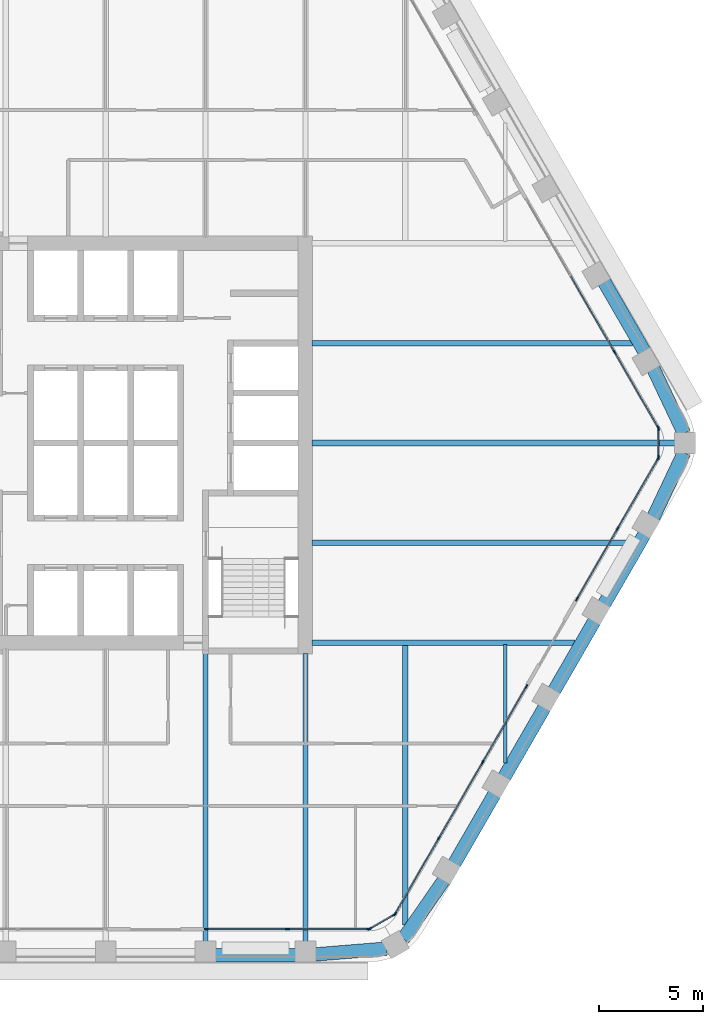
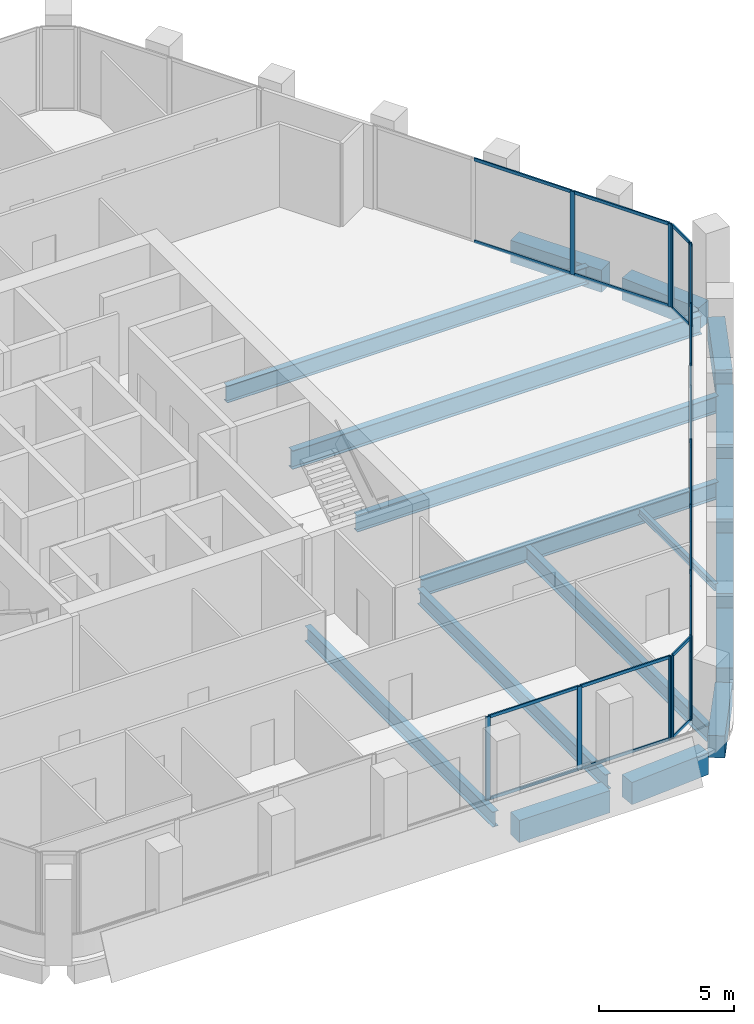
# One storey, part 4 of 15: 38 members, 18 beams, 6 elements without a shape of their own.
"""IFC4 building model written with IfcOpenShell, lengths in metres."""

from ifc_helpers import new_model, si_unit, direction, frame, origin, origin_2d, place, context, subcontext, project, spatial, rectangle, i_section, extrude, material, material_profile, profile_set, type_object, element, aggregate, save


model = new_model("IFC4")

# Units and contexts
model_context = context("Model", 3, precision=1e-05, world=origin(), true_north=direction((0.0, 1.0)))
body_context = subcontext(model_context, "Body", "Model", "MODEL_VIEW")
ifc_project = project(units=[si_unit("LENGTHUNIT", "METRE"), si_unit("AREAUNIT", "SQUARE_METRE"), si_unit("VOLUMEUNIT", "CUBIC_METRE"), si_unit("PLANEANGLEUNIT", "RADIAN"), si_unit("MASSUNIT", "GRAM", prefix="KILO")], contexts=[model_context])

# Site, building, storey
site_placement = place(None, origin())
site = spatial("IfcSite", under=ifc_project, at=site_placement, CompositionType="ELEMENT")
building_placement = place(site_placement, origin())
building = spatial("IfcBuilding", under=site, at=building_placement, Name="Kolab Exchange Tower", CompositionType="ELEMENT")
storey_placement = place(building_placement, frame((0.0, 0.0, 205.10009765625)))
storey = spatial("IfcBuildingStorey", under=building, at=storey_placement, Name="L44", CompositionType="ELEMENT", Elevation=205.10009765625)

# Beams
ifc_material_1 = material(Name="Steel S355", Category="steel")
ifc_material_profile_1 = material_profile(ifc_material_1, i_section(OverallWidth=0.1650390625, OverallDepth=0.31005859375, WebThickness=0.005859375, FlangeThickness=0.009765625, at=origin_2d()), Name="W310X39")
ifc_profile_set_1 = profile_set([ifc_material_profile_1], Name="Steel S355")
beam_type_1 = type_object("IfcBeamType", Name="FLOOR BEAM W310X39", PredefinedType="BEAM", material=ifc_profile_set_1)
beam_1_placement = place(storey_placement, frame((19.199951171875, -15.36767578125, -0.30517578125), z_axis=(0.0, 1.0, 0.0), x_axis=(-1.0, 0.0, 0.0)))
element("IfcBeam", 1, at=beam_1_placement, inside=storey, type_object=beam_type_1, Name="beam/L44/fr/022", PredefinedType="BEAM", context=body_context, shape_type="SweptSolid", body=[
    extrude(i_section(OverallWidth=0.1650390625, OverallDepth=0.31005859375, WebThickness=0.005859375, FlangeThickness=0.009765625, at=origin_2d()), origin(), (0.0, 0.0, 1.0), 5.674072265625),
])
ifc_material_profile_2 = material_profile(ifc_material_1, i_section(OverallWidth=0.25390625, OverallDepth=0.68408203125, WebThickness=0.012451171875, FlangeThickness=0.018798828125, at=origin_2d()), Name="W690X140")
ifc_profile_set_2 = profile_set([ifc_material_profile_2], Name="Steel S355")
beam_type_2 = type_object("IfcBeamType", Name="FLOOR BEAM W690X140", PredefinedType="BEAM", material=ifc_profile_set_2)
for number, where, z_axis, x_axis, name in (
    (2, (4.800048828125, -23.9814453125, -0.4921875), (0.0, 1.0, 0.0), (-1.0, 0.0, 0.0), "beam/L44/fr/013"),
    (3, (9.60009765625, -23.9814453125, -0.4921875), (0.0, 1.0, 0.0), (-1.0, 0.0, 0.0), "beam/L44/fr/015"),
):
    element("IfcBeam", number, at=place(storey_placement, frame(where, z_axis=z_axis, x_axis=x_axis)), inside=storey, type_object=beam_type_2, Name=name, PredefinedType="BEAM", context=body_context, shape_type="SweptSolid", body=[
        extrude(i_section(OverallWidth=0.25390625, OverallDepth=0.68408203125, WebThickness=0.012451171875, FlangeThickness=0.018798828125, at=origin_2d()), origin(), (0.0, 0.0, 1.0), 13.871337890625),
    ])
beam_2_placement = place(storey_placement, frame((14.39990234375, -23.15576171875, -0.4921875), z_axis=(0.0, 1.0, 0.0), x_axis=(-1.0, 0.0, 0.0)))
element("IfcBeam", 4, at=beam_2_placement, inside=storey, type_object=beam_type_2, Name="beam/L44/fr/020", PredefinedType="BEAM", context=body_context, shape_type="SweptSolid", body=[
    extrude(i_section(OverallWidth=0.25390625, OverallDepth=0.68408203125, WebThickness=0.012451171875, FlangeThickness=0.018798828125, at=origin_2d()), origin(), (0.0, 0.0, 1.0), 13.462158203125),
])
ifc_material_profile_3 = material_profile(ifc_material_1, i_section(OverallWidth=0.26708984375, OverallDepth=0.761962890625, WebThickness=0.014404296875, FlangeThickness=0.021484375, at=origin_2d()), Name="W760X173")
ifc_profile_set_3 = profile_set([ifc_material_profile_3], Name="Steel S355")
beam_type_3 = type_object("IfcBeamType", Name="FLOOR BEAM W760X173", PredefinedType="BEAM", material=ifc_profile_set_3)
for number, where, z_axis, x_axis, name in (
    (5, (9.909912109375, -4.800048828125, -0.531005859375), (1.0, 0.0, 0.0), (0.0, 1.0, 0.0), "beam/L44/fr/017"),
    (6, (9.909912109375, 4.800048828125, -0.531005859375), (1.0, 0.0, 0.0), (0.0, 1.0, 0.0), "beam/L44/fr/019"),
):
    element("IfcBeam", number, at=place(storey_placement, frame(where, z_axis=z_axis, x_axis=x_axis)), inside=storey, type_object=beam_type_3, Name=name, PredefinedType="BEAM", context=body_context, shape_type="SweptSolid", body=[
        extrude(i_section(OverallWidth=0.26708984375, OverallDepth=0.761962890625, WebThickness=0.014404296875, FlangeThickness=0.021484375, at=origin_2d()), origin(), (0.0, 0.0, 1.0), 15.408203125),
    ])
ifc_material_profile_4 = material_profile(ifc_material_1, i_section(OverallWidth=0.2919921875, OverallDepth=0.840087890625, WebThickness=0.0146484375, FlangeThickness=0.021728515625, at=origin_2d()), Name="W840X193")
ifc_profile_set_4 = profile_set([ifc_material_profile_4], Name="Steel S355")
beam_type_4 = type_object("IfcBeamType", Name="FLOOR BEAM W840X193", PredefinedType="BEAM", material=ifc_profile_set_4)
beam_3_placement = place(storey_placement, frame((9.909912109375, 0.0, -0.570068359375), z_axis=(1.0, 0.0, 0.0), x_axis=(0.0, 1.0, 0.0)))
element("IfcBeam", 7, at=beam_3_placement, inside=storey, type_object=beam_type_4, Name="beam/L44/fr/018", PredefinedType="BEAM", context=body_context, shape_type="SweptSolid", body=[
    extrude(i_section(OverallWidth=0.2919921875, OverallDepth=0.840087890625, WebThickness=0.0146484375, FlangeThickness=0.021728515625, at=origin_2d()), origin(), (0.0, 0.0, 1.0), 17.466064453125),
])
ifc_material_profile_5 = material_profile(ifc_material_1, i_section(OverallWidth=0.26708984375, OverallDepth=0.761962890625, WebThickness=0.014404296875, FlangeThickness=0.021484375, at=origin_2d()), Name="W760X173")
ifc_profile_set_5 = profile_set([ifc_material_profile_5], Name="Steel S355")
beam_type_5 = type_object("IfcBeamType", Name="FLOOR GIRDER W760X173", PredefinedType="BEAM", material=ifc_profile_set_5)
beam_4_placement = place(storey_placement, frame((9.909912109375, -9.60009765625, -0.531005859375), z_axis=(1.0, 0.0, 0.0), x_axis=(0.0, 1.0, 0.0)))
element("IfcBeam", 8, at=beam_4_placement, inside=storey, type_object=beam_type_5, Name="beam/L44/gd/002", PredefinedType="BEAM", context=body_context, shape_type="SweptSolid", body=[
    extrude(i_section(OverallWidth=0.26708984375, OverallDepth=0.761962890625, WebThickness=0.014404296875, FlangeThickness=0.021484375, at=origin_2d()), origin(), (0.0, 0.0, 1.0), 12.636962890625),
])
ifc_material_2 = material(Name="Concrete C60/75", Category="concrete")
ifc_material_profile_6 = material_profile(ifc_material_2, rectangle(XDim=0.64990234375, YDim=1.0, at=origin_2d()), Name="RC650X1000")
ifc_profile_set_6 = profile_set([ifc_material_profile_6], Name="Concrete C60/75")
beam_type_6 = type_object("IfcBeamType", Name="SPANDREL BEAM 650X1000 C60/75", PredefinedType="BEAM", material=ifc_profile_set_6)
beam_5_placement = place(storey_placement, frame((23.948486328125, 7.7529296875, -0.650146484375), z_axis=(0.499996613652, -0.866027358884, 0.0), x_axis=(0.866027358884, 0.499996613652, 0.0)))
element("IfcBeam", 9, at=beam_5_placement, inside=storey, type_object=beam_type_6, Name="beam/L44/sp/F2-05", PredefinedType="BEAM", context=body_context, shape_type="SweptSolid", body=[
    extrude(rectangle(XDim=0.64990234375, YDim=1.0, at=origin_2d()), origin(), (0.0, 0.0, 1.0), 3.8798828125),
])
for number, where, z_axis, x_axis, name in (
    (10, (26.316162109375, 3.5771484375, -0.650146484375), (0.428177731975, -0.903694544545, 0.0), (0.903694544545, 0.428177731975, 0.0), "beam/L44/sp/F2-06"),
    (11, (27.791259765625, -0.4638671875, -0.650146484375), (-0.428177731975, -0.903694544545, 0.0), (0.903694544545, -0.428177731975, 0.0), "beam/L44/sp/F3-01"),
):
    element("IfcBeam", number, at=place(storey_placement, frame(where, z_axis=z_axis, x_axis=x_axis)), inside=storey, type_object=beam_type_6, Name=name, PredefinedType="BEAM", context=body_context, shape_type="SweptSolid", body=[
        extrude(rectangle(XDim=0.64990234375, YDim=1.0, at=origin_2d()), origin(), (0.0, 0.0, 1.0), 3.445068359375),
    ])
for number, where, z_axis, x_axis, name in (
    (12, (25.888427734375, -4.392822265625, -0.650146484375), (-0.499996613652, -0.866027358884, 0.0), (0.866027358884, -0.499996613652, 0.0), "beam/L44/sp/F3-02"),
    (13, (23.488525390625, -8.5498046875, -0.650146484375), (-0.499996613652, -0.866027358884, 0.0), (0.866027358884, -0.499996613652, 0.0), "beam/L44/sp/F3-03"),
):
    element("IfcBeam", number, at=place(storey_placement, frame(where, z_axis=z_axis, x_axis=x_axis)), inside=storey, type_object=beam_type_6, Name=name, PredefinedType="BEAM", context=body_context, shape_type="SweptSolid", body=[
        extrude(rectangle(XDim=0.64990234375, YDim=1.0, at=origin_2d()), origin(), (0.0, 0.0, 1.0), 3.8798828125),
    ])
beam_6_placement = place(storey_placement, frame((21.088623046875, -12.70654296875, -0.650146484375), z_axis=(-0.50001655835, -0.866015843605, 0.0), x_axis=(0.866015843605, -0.50001655835, 0.0)))
element("IfcBeam", 14, at=beam_6_placement, inside=storey, type_object=beam_type_6, Name="beam/L44/sp/F3-04", PredefinedType="BEAM", context=body_context, shape_type="SweptSolid", body=[
    extrude(rectangle(XDim=0.64990234375, YDim=1.0, at=origin_2d()), origin(), (0.0, 0.0, 1.0), 3.880126953125),
])
beam_7_placement = place(storey_placement, frame((18.6884765625, -16.863525390625, -0.650146484375), z_axis=(-0.499996613652, -0.866027358884, 0.0), x_axis=(0.866027358884, -0.499996613652, 0.0)))
element("IfcBeam", 15, at=beam_7_placement, inside=storey, type_object=beam_type_6, Name="beam/L44/sp/F3-05", PredefinedType="BEAM", context=body_context, shape_type="SweptSolid", body=[
    extrude(rectangle(XDim=0.64990234375, YDim=1.0, at=origin_2d()), origin(), (0.0, 0.0, 1.0), 3.8798828125),
])
for number, where, z_axis, x_axis, name in (
    (16, (16.256103515625, -21.001953125, -0.650146484375), (-0.568572281073, -0.822633309073, 0.0), (0.822633309073, -0.568572281073, 0.0), "beam/L44/sp/F3-06"),
    (17, (13.493896484375, -24.2998046875, -0.650146484375), (-0.996708497182, -0.081068931445, 0.0), (0.081068931445, -0.996708497182, 0.0), "beam/L44/sp/F4-01"),
):
    element("IfcBeam", number, at=place(storey_placement, frame(where, z_axis=z_axis, x_axis=x_axis)), inside=storey, type_object=beam_type_6, Name=name, PredefinedType="BEAM", context=body_context, shape_type="SweptSolid", body=[
        extrude(rectangle(XDim=0.64990234375, YDim=1.0, at=origin_2d()), origin(), (0.0, 0.0, 1.0), 3.445068359375),
    ])
beam_8_placement = place(storey_placement, frame((9.139892578125, -24.616455078125, -0.650146484375), z_axis=(-1.0, 0.0, 0.0), x_axis=(0.0, -1.0, 0.0)))
element("IfcBeam", 18, at=beam_8_placement, inside=storey, type_object=beam_type_6, Name="beam/L44/sp/F4-02", PredefinedType="BEAM", context=body_context, shape_type="SweptSolid", body=[
    extrude(rectangle(XDim=0.64990234375, YDim=1.0, at=origin_2d()), origin(), (0.0, 0.0, 1.0), 3.8798828125),
])

# Curtain wall, members
ifc_material_3 = material(Name="Aluminium EN AW-6063 T6", Category="aluminium")
curtain_wall_type = type_object("IfcCurtainWallType", Name="UNITISED UPPER MID ZONE CURTAIN WALL", PredefinedType="NOTDEFINED", material=ifc_material_3)
curtain_wall_1_placement = place(storey_placement, origin())
curtain_wall_1 = element("IfcCurtainWall", 19, at=curtain_wall_1_placement, inside=storey, type_object=curtain_wall_type, Name="cw/L44/F2-2", PredefinedType="NOTDEFINED")
ifc_material_profile_7 = material_profile(ifc_material_3, rectangle(XDim=0.06005859375, YDim=0.199951171875, at=origin_2d()), Name="RECT 60X200")
ifc_profile_set_7 = profile_set([ifc_material_profile_7], Name="Aluminium EN AW-6063 T6")
member_type_1 = type_object("IfcMemberType", Name="UNITISED UPPER MID ZONE MULLION 60 X 200", PredefinedType="MULLION", material=ifc_profile_set_7)
member_1_placement = place(storey_placement, frame((24.454345703125, 4.366943359375, 0.0), z_axis=(0.0, 0.0, 1.0), x_axis=(0.866025427826, 0.499999958358, 0.0)))
member_1 = element("IfcMember", 20, at=member_1_placement, type_object=member_type_1, Name="CW3 mullion 3", PredefinedType="MULLION", context=body_context, shape_type="SweptSolid", body=[
    extrude(rectangle(XDim=0.06005859375, YDim=0.199951171875, at=origin_2d()), origin(), (0.0, 0.0, 1.0), 3.75),
])
member_2_placement = place(storey_placement, frame((26.550537109375, 0.736083984375, 0.0), z_axis=(0.0, 0.0, 1.0), x_axis=(0.866025427826, 0.499999958358, 0.0)))
member_2 = element("IfcMember", 21, at=member_2_placement, type_object=member_type_1, Name="CW3 mullion 4", PredefinedType="MULLION", context=body_context, shape_type="SweptSolid", body=[
    extrude(rectangle(XDim=0.06005859375, YDim=0.199951171875, at=origin_2d()), origin(), (0.0, 0.0, 1.0), 3.75),
])

curtain_wall_2_placement = place(storey_placement, origin())
curtain_wall_2 = element("IfcCurtainWall", 22, at=curtain_wall_2_placement, inside=storey, type_object=curtain_wall_type, Name="cw/L44/F3-1", PredefinedType="NOTDEFINED")
member_3_placement = place(storey_placement, frame((26.550537109375, -0.736083984375, 0.0), z_axis=(0.0, 0.0, 1.0), x_axis=(0.866025440524, -0.499999936366, 0.0)))
member_3 = element("IfcMember", 23, at=member_3_placement, type_object=member_type_1, Name="CW3 mullion 1", PredefinedType="MULLION", context=body_context, shape_type="SweptSolid", body=[
    extrude(rectangle(XDim=0.06005859375, YDim=0.199951171875, at=origin_2d()), origin(), (0.0, 0.0, 1.0), 3.75),
])
member_4_placement = place(storey_placement, frame((24.5986328125, -4.116943359375, 0.0), z_axis=(0.0, 0.0, 1.0), x_axis=(0.866025440524, -0.499999936366, 0.0)))
member_4 = element("IfcMember", 24, at=member_4_placement, type_object=member_type_1, Name="CW3 mullion 2", PredefinedType="MULLION", context=body_context, shape_type="SweptSolid", body=[
    extrude(rectangle(XDim=0.06005859375, YDim=0.199951171875, at=origin_2d()), origin(), (0.0, 0.0, 1.0), 3.75),
])
member_5_placement = place(storey_placement, frame((22.646728515625, -7.497802734375, 0.0), z_axis=(0.0, 0.0, 1.0), x_axis=(0.866025440524, -0.499999936366, 0.0)))
member_5 = element("IfcMember", 25, at=member_5_placement, type_object=member_type_1, Name="CW3 mullion 3", PredefinedType="MULLION", context=body_context, shape_type="SweptSolid", body=[
    extrude(rectangle(XDim=0.06005859375, YDim=0.199951171875, at=origin_2d()), origin(), (0.0, 0.0, 1.0), 3.75),
])

curtain_wall_3_placement = place(storey_placement, origin())
curtain_wall_3 = element("IfcCurtainWall", 26, at=curtain_wall_3_placement, inside=storey, type_object=curtain_wall_type, Name="cw/L44/F3-2", PredefinedType="NOTDEFINED")
member_6_placement = place(storey_placement, frame((20.216796875, -11.706787109375, 0.0), z_axis=(0.0, 0.0, 1.0), x_axis=(0.866025393644, -0.500000017564, 0.0)))
member_6 = element("IfcMember", 27, at=member_6_placement, type_object=member_type_1, Name="CW3 mullion 1", PredefinedType="MULLION", context=body_context, shape_type="SweptSolid", body=[
    extrude(rectangle(XDim=0.06005859375, YDim=0.199951171875, at=origin_2d()), origin(), (0.0, 0.0, 1.0), 3.75),
])
member_7_placement = place(storey_placement, frame((18.120361328125, -15.337646484375, 0.0), z_axis=(0.0, 0.0, 1.0), x_axis=(0.866025393644, -0.500000017564, 0.0)))
member_7 = element("IfcMember", 28, at=member_7_placement, type_object=member_type_1, Name="CW3 mullion 2", PredefinedType="MULLION", context=body_context, shape_type="SweptSolid", body=[
    extrude(rectangle(XDim=0.06005859375, YDim=0.199951171875, at=origin_2d()), origin(), (0.0, 0.0, 1.0), 3.75),
])
member_8_placement = place(storey_placement, frame((16.009033203125, -18.99462890625, 0.0), z_axis=(0.0, 0.0, 1.0), x_axis=(0.866025393644, -0.500000017564, 0.0)))
member_8 = element("IfcMember", 29, at=member_8_placement, type_object=member_type_1, Name="CW3 mullion 3", PredefinedType="MULLION", context=body_context, shape_type="SweptSolid", body=[
    extrude(rectangle(XDim=0.06005859375, YDim=0.199951171875, at=origin_2d()), origin(), (0.0, 0.0, 1.0), 3.75),
])
member_9_placement = place(storey_placement, frame((13.91259765625, -22.62548828125, 0.0), z_axis=(0.0, 0.0, 1.0), x_axis=(0.866025393644, -0.500000017564, 0.0)))
member_9 = element("IfcMember", 30, at=member_9_placement, type_object=member_type_1, Name="CW3 mullion 4", PredefinedType="MULLION", context=body_context, shape_type="SweptSolid", body=[
    extrude(rectangle(XDim=0.06005859375, YDim=0.199951171875, at=origin_2d()), origin(), (0.0, 0.0, 1.0), 3.75),
])

curtain_wall_4_placement = place(storey_placement, origin())
curtain_wall_4 = element("IfcCurtainWall", 31, at=curtain_wall_4_placement, inside=storey, type_object=curtain_wall_type, Name="cw/L44/F4-1", PredefinedType="NOTDEFINED")
member_10_placement = place(storey_placement, frame((12.637939453125, -23.361572265625, 0.0), z_axis=(0.0, 0.0, 1.0), x_axis=(0.0, -1.0, 0.0)))
member_10 = element("IfcMember", 32, at=member_10_placement, type_object=member_type_1, Name="CW3 mullion 1", PredefinedType="MULLION", context=body_context, shape_type="SweptSolid", body=[
    extrude(rectangle(XDim=0.06005859375, YDim=0.199951171875, at=origin_2d()), origin(), (0.0, 0.0, 1.0), 3.75),
])
member_11_placement = place(storey_placement, frame((8.73388671875, -23.361572265625, 0.0), z_axis=(0.0, 0.0, 1.0), x_axis=(0.0, -1.0, 0.0)))
member_11 = element("IfcMember", 33, at=member_11_placement, type_object=member_type_1, Name="CW3 mullion 2", PredefinedType="MULLION", context=body_context, shape_type="SweptSolid", body=[
    extrude(rectangle(XDim=0.06005859375, YDim=0.199951171875, at=origin_2d()), origin(), (0.0, 0.0, 1.0), 3.75),
])
member_12_placement = place(storey_placement, frame((4.830078125, -23.361572265625, 0.0), z_axis=(0.0, 0.0, 1.0), x_axis=(0.0, -1.0, 0.0)))
member_12 = element("IfcMember", 34, at=member_12_placement, type_object=member_type_1, Name="CW3 mullion 3", PredefinedType="MULLION", context=body_context, shape_type="SweptSolid", body=[
    extrude(rectangle(XDim=0.06005859375, YDim=0.199951171875, at=origin_2d()), origin(), (0.0, 0.0, 1.0), 3.75),
])

curtain_wall_5_placement = place(storey_placement, origin())
curtain_wall_5 = element("IfcCurtainWall", 35, at=curtain_wall_5_placement, inside=storey, type_object=curtain_wall_type, Name="cw/L44/F2F3-corner", PredefinedType="NOTDEFINED")
member_13_placement = place(storey_placement, frame((26.565673828125, 0.679931640625, 0.0), z_axis=(0.0, 0.0, 1.0), x_axis=(1.0, 0.0, 0.0)))
member_13 = element("IfcMember", 36, at=member_13_placement, type_object=member_type_1, Name="CW3 mullion 1", PredefinedType="MULLION", context=body_context, shape_type="SweptSolid", body=[
    extrude(rectangle(XDim=0.06005859375, YDim=0.199951171875, at=origin_2d()), origin(), (0.0, 0.0, 1.0), 3.75),
])
member_14_placement = place(storey_placement, frame((26.565673828125, -0.679931640625, 0.0), z_axis=(0.0, 0.0, 1.0), x_axis=(1.0, 0.0, 0.0)))
member_14 = element("IfcMember", 37, at=member_14_placement, type_object=member_type_1, Name="CW3 mullion 2", PredefinedType="MULLION", context=body_context, shape_type="SweptSolid", body=[
    extrude(rectangle(XDim=0.06005859375, YDim=0.199951171875, at=origin_2d()), origin(), (0.0, 0.0, 1.0), 3.75),
])

curtain_wall_6_placement = place(storey_placement, origin())
curtain_wall_6 = element("IfcCurtainWall", 38, at=curtain_wall_6_placement, inside=storey, type_object=curtain_wall_type, Name="cw/L44/F3F4-corner", PredefinedType="NOTDEFINED")
member_15_placement = place(storey_placement, frame((13.871826171875, -22.66650390625, 0.0), z_axis=(0.0, 0.0, 1.0), x_axis=(0.50000002237, -0.866025390869, 0.0)))
member_15 = element("IfcMember", 39, at=member_15_placement, type_object=member_type_1, Name="CW3 mullion 1", PredefinedType="MULLION", context=body_context, shape_type="SweptSolid", body=[
    extrude(rectangle(XDim=0.06005859375, YDim=0.199951171875, at=origin_2d()), origin(), (0.0, 0.0, 1.0), 3.75),
])
member_16_placement = place(storey_placement, frame((12.69384765625, -23.346435546875, 0.0), z_axis=(0.0, 0.0, 1.0), x_axis=(0.50000002237, -0.866025390869, 0.0)))
member_16 = element("IfcMember", 40, at=member_16_placement, type_object=member_type_1, Name="CW3 mullion 2", PredefinedType="MULLION", context=body_context, shape_type="SweptSolid", body=[
    extrude(rectangle(XDim=0.06005859375, YDim=0.199951171875, at=origin_2d()), origin(), (0.0, 0.0, 1.0), 3.75),
])

# Member
ifc_material_profile_8 = material_profile(ifc_material_3, rectangle(XDim=0.06005859375, YDim=0.139892578125, at=origin_2d()), Name="RECT 60X140")
ifc_profile_set_8 = profile_set([ifc_material_profile_8], Name="Aluminium EN AW-6063 T6")
member_type_2 = type_object("IfcMemberType", Name="UNITISED UPPER MID ZONE TRANSOM 60 X 140", PredefinedType="USERDEFINED", material=ifc_profile_set_8)
member_17_placement = place(storey_placement, frame((22.35791015625, 7.997802734375, 0.02978515625), z_axis=(0.49999322259, -0.866029316688, 0.0), x_axis=(0.866029316688, 0.49999322259, 0.0)))
member_17 = element("IfcMember", 41, at=member_17_placement, type_object=member_type_2, Name="CW3 transom 2.1", ObjectType="TRANSOM", PredefinedType="USERDEFINED", context=body_context, shape_type="SweptSolid", body=[
    extrude(rectangle(XDim=0.06005859375, YDim=0.139892578125, at=origin_2d()), origin(), (0.0, 0.0, 1.0), 4.16259765625),
])

member_18_placement = place(storey_placement, frame((22.35791015625, 7.997802734375, 3.719970703125), z_axis=(0.49999322259, -0.866029316688, 0.0), x_axis=(0.866029316688, 0.49999322259, 0.0)))
member_18 = element("IfcMember", 42, at=member_18_placement, type_object=member_type_2, Name="CW3 transom 2.2", ObjectType="TRANSOM", PredefinedType="USERDEFINED", context=body_context, shape_type="SweptSolid", body=[
    extrude(rectangle(XDim=0.06005859375, YDim=0.139892578125, at=origin_2d()), origin(), (0.0, 0.0, 1.0), 4.16259765625),
])

member_19_placement = place(storey_placement, frame((24.46923828125, 4.3408203125, 0.02978515625), z_axis=(0.500027577057, -0.866009481578, 0.0), x_axis=(0.866009481578, 0.500027577057, 0.0)))
member_19 = element("IfcMember", 43, at=member_19_placement, type_object=member_type_2, Name="CW3 transom 3.1", ObjectType="TRANSOM", PredefinedType="USERDEFINED", context=body_context, shape_type="SweptSolid", body=[
    extrude(rectangle(XDim=0.06005859375, YDim=0.139892578125, at=origin_2d()), origin(), (0.0, 0.0, 1.0), 4.132568359375),
])

member_20_placement = place(storey_placement, frame((24.46923828125, 4.3408203125, 3.719970703125), z_axis=(0.500027577057, -0.866009481578, 0.0), x_axis=(0.866009481578, 0.500027577057, 0.0)))
member_20 = element("IfcMember", 44, at=member_20_placement, type_object=member_type_2, Name="CW3 transom 3.2", ObjectType="TRANSOM", PredefinedType="USERDEFINED", context=body_context, shape_type="SweptSolid", body=[
    extrude(rectangle(XDim=0.06005859375, YDim=0.139892578125, at=origin_2d()), origin(), (0.0, 0.0, 1.0), 4.132568359375),
])

aggregate(curtain_wall_1, [member_1, member_2, member_17, member_18, member_19, member_20])

member_21_placement = place(storey_placement, frame((26.53564453125, -0.761962890625, 0.02978515625), z_axis=(-0.499991857942, -0.866030104553, 0.0), x_axis=(0.866030104553, -0.499991857942, 0.0)))
member_21 = element("IfcMember", 45, at=member_21_placement, type_object=member_type_2, Name="CW3 transom 1.1", ObjectType="TRANSOM", PredefinedType="USERDEFINED", context=body_context, shape_type="SweptSolid", body=[
    extrude(rectangle(XDim=0.06005859375, YDim=0.139892578125, at=origin_2d()), origin(), (0.0, 0.0, 1.0), 3.84375),
])

member_22_placement = place(storey_placement, frame((26.53564453125, -0.761962890625, 3.719970703125), z_axis=(-0.499991857942, -0.866030104553, 0.0), x_axis=(0.866030104553, -0.499991857942, 0.0)))
member_22 = element("IfcMember", 46, at=member_22_placement, type_object=member_type_2, Name="CW3 transom 1.2", ObjectType="TRANSOM", PredefinedType="USERDEFINED", context=body_context, shape_type="SweptSolid", body=[
    extrude(rectangle(XDim=0.06005859375, YDim=0.139892578125, at=origin_2d()), origin(), (0.0, 0.0, 1.0), 3.84375),
])

member_23_placement = place(storey_placement, frame((24.583740234375, -4.142822265625, 0.02978515625), z_axis=(-0.500011990396, -0.866018481016, 0.0), x_axis=(0.866018481016, -0.500011990396, 0.0)))
member_23 = element("IfcMember", 47, at=member_23_placement, type_object=member_type_2, Name="CW3 transom 2.1", ObjectType="TRANSOM", PredefinedType="USERDEFINED", context=body_context, shape_type="SweptSolid", body=[
    extrude(rectangle(XDim=0.06005859375, YDim=0.139892578125, at=origin_2d()), origin(), (0.0, 0.0, 1.0), 3.84423828125),
])

member_24_placement = place(storey_placement, frame((24.583740234375, -4.142822265625, 3.719970703125), z_axis=(-0.500011990396, -0.866018481016, 0.0), x_axis=(0.866018481016, -0.500011990396, 0.0)))
member_24 = element("IfcMember", 48, at=member_24_placement, type_object=member_type_2, Name="CW3 transom 2.2", ObjectType="TRANSOM", PredefinedType="USERDEFINED", context=body_context, shape_type="SweptSolid", body=[
    extrude(rectangle(XDim=0.06005859375, YDim=0.139892578125, at=origin_2d()), origin(), (0.0, 0.0, 1.0), 3.84423828125),
])

aggregate(curtain_wall_2, [member_3, member_4, member_5, member_21, member_22, member_23, member_24])

member_25_placement = place(storey_placement, frame((20.20166015625, -11.732666015625, 0.02978515625), z_axis=(-0.500001996123, -0.866024251319, 0.0), x_axis=(0.866024251319, -0.500001996123, 0.0)))
member_25 = element("IfcMember", 49, at=member_25_placement, type_object=member_type_2, Name="CW3 transom 1.1", ObjectType="TRANSOM", PredefinedType="USERDEFINED", context=body_context, shape_type="SweptSolid", body=[
    extrude(rectangle(XDim=0.06005859375, YDim=0.139892578125, at=origin_2d()), origin(), (0.0, 0.0, 1.0), 4.1328125),
])

member_26_placement = place(storey_placement, frame((20.20166015625, -11.732666015625, 3.719970703125), z_axis=(-0.500001996123, -0.866024251319, 0.0), x_axis=(0.866024251319, -0.500001996123, 0.0)))
member_26 = element("IfcMember", 50, at=member_26_placement, type_object=member_type_2, Name="CW3 transom 1.2", ObjectType="TRANSOM", PredefinedType="USERDEFINED", context=body_context, shape_type="SweptSolid", body=[
    extrude(rectangle(XDim=0.06005859375, YDim=0.139892578125, at=origin_2d()), origin(), (0.0, 0.0, 1.0), 4.1328125),
])

member_27_placement = place(storey_placement, frame((18.10546875, -15.36376953125, 0.02978515625), z_axis=(-0.500037208726, -0.86600392025, 0.0), x_axis=(0.86600392025, -0.500037208726, 0.0)))
member_27 = element("IfcMember", 51, at=member_27_placement, type_object=member_type_2, Name="CW3 transom 2.1", ObjectType="TRANSOM", PredefinedType="USERDEFINED", context=body_context, shape_type="SweptSolid", body=[
    extrude(rectangle(XDim=0.06005859375, YDim=0.139892578125, at=origin_2d()), origin(), (0.0, 0.0, 1.0), 4.162841796875),
])

member_28_placement = place(storey_placement, frame((18.10546875, -15.36376953125, 3.719970703125), z_axis=(-0.500037208726, -0.86600392025, 0.0), x_axis=(0.86600392025, -0.500037208726, 0.0)))
member_28 = element("IfcMember", 52, at=member_28_placement, type_object=member_type_2, Name="CW3 transom 2.2", ObjectType="TRANSOM", PredefinedType="USERDEFINED", context=body_context, shape_type="SweptSolid", body=[
    extrude(rectangle(XDim=0.06005859375, YDim=0.139892578125, at=origin_2d()), origin(), (0.0, 0.0, 1.0), 4.162841796875),
])

member_29_placement = place(storey_placement, frame((15.994140625, -19.0205078125, 0.02978515625), z_axis=(-0.500001996123, -0.866024251319, 0.0), x_axis=(0.866024251319, -0.500001996123, 0.0)))
member_29 = element("IfcMember", 53, at=member_29_placement, type_object=member_type_2, Name="CW3 transom 3.1", ObjectType="TRANSOM", PredefinedType="USERDEFINED", context=body_context, shape_type="SweptSolid", body=[
    extrude(rectangle(XDim=0.06005859375, YDim=0.139892578125, at=origin_2d()), origin(), (0.0, 0.0, 1.0), 4.1328125),
])

member_30_placement = place(storey_placement, frame((15.994140625, -19.0205078125, 3.719970703125), z_axis=(-0.500001996123, -0.866024251319, 0.0), x_axis=(0.866024251319, -0.500001996123, 0.0)))
member_30 = element("IfcMember", 54, at=member_30_placement, type_object=member_type_2, Name="CW3 transom 3.2", ObjectType="TRANSOM", PredefinedType="USERDEFINED", context=body_context, shape_type="SweptSolid", body=[
    extrude(rectangle(XDim=0.06005859375, YDim=0.139892578125, at=origin_2d()), origin(), (0.0, 0.0, 1.0), 4.1328125),
])

aggregate(curtain_wall_3, [member_6, member_7, member_8, member_9, member_25, member_26, member_27, member_28, member_29, member_30])

member_31_placement = place(storey_placement, frame((12.60791015625, -23.361572265625, 0.02978515625), z_axis=(-1.0, 0.0, 0.0), x_axis=(0.0, -1.0, 0.0)))
member_31 = element("IfcMember", 55, at=member_31_placement, type_object=member_type_2, Name="CW3 transom 1.1", ObjectType="TRANSOM", PredefinedType="USERDEFINED", context=body_context, shape_type="SweptSolid", body=[
    extrude(rectangle(XDim=0.06005859375, YDim=0.139892578125, at=origin_2d()), origin(), (0.0, 0.0, 1.0), 3.843994140625),
])

member_32_placement = place(storey_placement, frame((12.60791015625, -23.361572265625, 3.719970703125), z_axis=(-1.0, 0.0, 0.0), x_axis=(0.0, -1.0, 0.0)))
member_32 = element("IfcMember", 56, at=member_32_placement, type_object=member_type_2, Name="CW3 transom 1.2", ObjectType="TRANSOM", PredefinedType="USERDEFINED", context=body_context, shape_type="SweptSolid", body=[
    extrude(rectangle(XDim=0.06005859375, YDim=0.139892578125, at=origin_2d()), origin(), (0.0, 0.0, 1.0), 3.843994140625),
])

member_33_placement = place(storey_placement, frame((8.703857421875, -23.361572265625, 0.02978515625), z_axis=(-1.0, 0.0, 0.0), x_axis=(0.0, -1.0, 0.0)))
member_33 = element("IfcMember", 57, at=member_33_placement, type_object=member_type_2, Name="CW3 transom 2.1", ObjectType="TRANSOM", PredefinedType="USERDEFINED", context=body_context, shape_type="SweptSolid", body=[
    extrude(rectangle(XDim=0.06005859375, YDim=0.139892578125, at=origin_2d()), origin(), (0.0, 0.0, 1.0), 3.84375),
])

member_34_placement = place(storey_placement, frame((8.703857421875, -23.361572265625, 3.719970703125), z_axis=(-1.0, 0.0, 0.0), x_axis=(0.0, -1.0, 0.0)))
member_34 = element("IfcMember", 58, at=member_34_placement, type_object=member_type_2, Name="CW3 transom 2.2", ObjectType="TRANSOM", PredefinedType="USERDEFINED", context=body_context, shape_type="SweptSolid", body=[
    extrude(rectangle(XDim=0.06005859375, YDim=0.139892578125, at=origin_2d()), origin(), (0.0, 0.0, 1.0), 3.84375),
])

aggregate(curtain_wall_4, [member_10, member_11, member_12, member_31, member_32, member_33, member_34])

member_35_placement = place(storey_placement, frame((26.565673828125, 0.64990234375, 0.02978515625), z_axis=(0.0, -1.0, 0.0), x_axis=(1.0, 0.0, 0.0)))
member_35 = element("IfcMember", 59, at=member_35_placement, type_object=member_type_2, Name="CW3 transom 1.1", ObjectType="TRANSOM", PredefinedType="USERDEFINED", context=body_context, shape_type="SweptSolid", body=[
    extrude(rectangle(XDim=0.06005859375, YDim=0.139892578125, at=origin_2d()), origin(), (0.0, 0.0, 1.0), 1.2998046875),
])

member_36_placement = place(storey_placement, frame((26.565673828125, 0.64990234375, 3.719970703125), z_axis=(0.0, -1.0, 0.0), x_axis=(1.0, 0.0, 0.0)))
member_36 = element("IfcMember", 60, at=member_36_placement, type_object=member_type_2, Name="CW3 transom 1.2", ObjectType="TRANSOM", PredefinedType="USERDEFINED", context=body_context, shape_type="SweptSolid", body=[
    extrude(rectangle(XDim=0.06005859375, YDim=0.139892578125, at=origin_2d()), origin(), (0.0, 0.0, 1.0), 1.2998046875),
])

aggregate(curtain_wall_5, [member_13, member_14, member_35, member_36])

member_37_placement = place(storey_placement, frame((13.845703125, -22.681640625, 0.02978515625), z_axis=(-0.86603858612, -0.49997716683, 0.0), x_axis=(0.49997716683, -0.86603858612, 0.0)))
member_37 = element("IfcMember", 61, at=member_37_placement, type_object=member_type_2, Name="CW3 transom 1.1", ObjectType="TRANSOM", PredefinedType="USERDEFINED", context=body_context, shape_type="SweptSolid", body=[
    extrude(rectangle(XDim=0.06005859375, YDim=0.139892578125, at=origin_2d()), origin(), (0.0, 0.0, 1.0), 1.2998046875),
])

member_38_placement = place(storey_placement, frame((13.845703125, -22.681640625, 3.719970703125), z_axis=(-0.86603858612, -0.49997716683, 0.0), x_axis=(0.49997716683, -0.86603858612, 0.0)))
member_38 = element("IfcMember", 62, at=member_38_placement, type_object=member_type_2, Name="CW3 transom 1.2", ObjectType="TRANSOM", PredefinedType="USERDEFINED", context=body_context, shape_type="SweptSolid", body=[
    extrude(rectangle(XDim=0.06005859375, YDim=0.139892578125, at=origin_2d()), origin(), (0.0, 0.0, 1.0), 1.2998046875),
])

aggregate(curtain_wall_6, [member_15, member_16, member_37, member_38])

save(model, "model.ifc")
